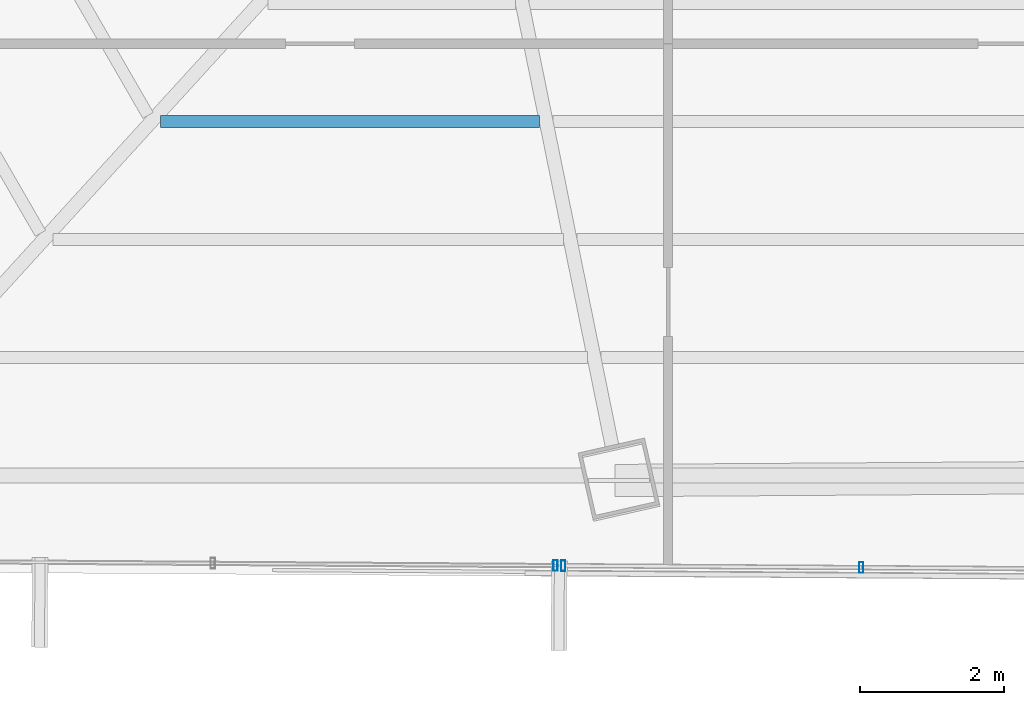
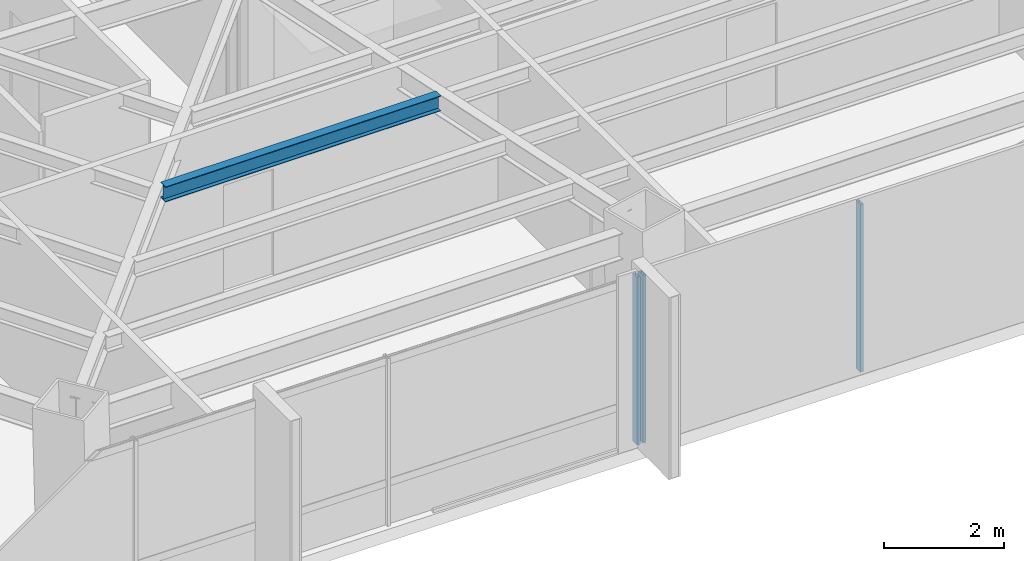
# One storey, part 8 of 41: 3 members, 1 beam, 2 elements without a shape of their own.
"""IFC4 building model written with IfcOpenShell, lengths in metres."""

from ifc_helpers import new_model, si_unit, direction, frame, origin, origin_2d, place, context, subcontext, project, spatial, hollow_rectangle, i_section, extrude, source, transform, mapped, material, material_profile, profile_set, type_object, type_shapes, element, aggregate, save


model = new_model("IFC4")

# Units and contexts
model_context = context("Model", 3, precision=1e-05, world=origin(), true_north=direction((0.0, 1.0)))
body_context = subcontext(model_context, "Body", "Model", "MODEL_VIEW")
ifc_project = project(units=[si_unit("LENGTHUNIT", "METRE"), si_unit("AREAUNIT", "SQUARE_METRE"), si_unit("VOLUMEUNIT", "CUBIC_METRE"), si_unit("PLANEANGLEUNIT", "RADIAN"), si_unit("MASSUNIT", "GRAM", prefix="KILO")], contexts=[model_context])

# Site, building, storey
site_placement = place(None, origin())
site = spatial("IfcSite", under=ifc_project, at=site_placement, CompositionType="ELEMENT")
building_placement = place(site_placement, origin())
building = spatial("IfcBuilding", under=site, at=building_placement, Name="Caelisora Broadcast Tower", CompositionType="ELEMENT")
storey_placement = place(building_placement, frame((0.0, 0.0, 162.14990234375)))
storey = spatial("IfcBuildingStorey", under=building, at=storey_placement, Name="L42", CompositionType="ELEMENT", Elevation=162.14990234375)

# Beam
ifc_material_1 = material(Name="Steel Grade 350 (AS/NZS 3679.1)", Category="steel")
ifc_material_profile_1 = material_profile(ifc_material_1, i_section(OverallWidth=0.166015625, OverallDepth=0.30712890625, WebThickness=0.006591796875, FlangeThickness=0.01171875, at=origin_2d()), Name="Steel Grade 350 (AS/NZS 3679.1)")
ifc_profile_set_1 = profile_set([ifc_material_profile_1], Name="Steel Grade 350 (AS/NZS 3679.1)")
beam_type = type_object("IfcBeamType", Name="SB03", PredefinedType="JOIST", material=ifc_profile_set_1)
shared_shape_1 = source(origin(), body_context, "Body", "SweptSolid", [
    extrude(i_section(OverallWidth=0.166015625, OverallDepth=0.30712890625, WebThickness=0.006591796875, FlangeThickness=0.01171875, at=origin_2d()), origin(), (0.0, 0.0, 1.0), 5.277099609375),
])
type_shapes(beam_type, [shared_shape_1])
beam_placement = place(storey_placement, frame((26.12939453125, 12.46875, 3.24658203125), z_axis=(1.0, 0.0, 0.0), x_axis=(0.0, 1.0, 0.0)))
element("IfcBeam", 1, at=beam_placement, inside=storey, type_object=beam_type, Name="L42 beam SB03", PredefinedType="JOIST", context=body_context, shape_type="MappedRepresentation", body=[
    mapped(shared_shape_1, transform((0.0, 0.0, 0.0), scale=1.0)),
])

# Curtain wall, members
ifc_material_2 = material(Name="Unitised Aluminium Insulated Shadow-Box Spandrel Curtain Wall", Category="aluminium")
curtain_wall_type_1 = type_object("IfcCurtainWallType", Name="CW-SP2", PredefinedType="NOTDEFINED", material=ifc_material_2)
curtain_wall_1_placement = place(storey_placement, origin())
curtain_wall_1 = element("IfcCurtainWall", 2, at=curtain_wall_1_placement, inside=storey, type_object=curtain_wall_type_1, Name="L42 curtain wall CW-SP2", PredefinedType="NOTDEFINED")
ifc_material_3 = material(Name="Aluminium 6063-T6 Anodised Terracotta Bronze", Category="aluminium")
ifc_material_profile_2 = material_profile(ifc_material_3, hollow_rectangle(XDim=0.06005859375, YDim=0.14990234375, WallThickness=0.00341796875, at=origin_2d()), Name="Aluminium 6063-T6 Anodised Terracotta Bronze")
ifc_profile_set_2 = profile_set([ifc_material_profile_2], Name="Aluminium 6063-T6 Anodised Terracotta Bronze")
member_type = type_object("IfcMemberType", Name="CWM-03", PredefinedType="MULLION", material=ifc_profile_set_2)
shared_shape_2 = source(origin(), body_context, "Body", "SweptSolid", [
    extrude(hollow_rectangle(XDim=0.06005859375, YDim=0.14990234375, WallThickness=0.00341796875, at=origin_2d()), origin(), (0.0, 0.0, 1.0), 3.400146484375),
])
type_shapes(member_type, [shared_shape_2])
member_1_placement = place(storey_placement, frame((35.8916015625, 6.252197265625, 0.0), z_axis=(0.0, 0.0, 1.0), x_axis=(1.0, 0.0, 0.0)))
member_1 = element("IfcMember", 3, at=member_1_placement, type_object=member_type, Name="L42-CW-B06 mullion #2", PredefinedType="MULLION", context=body_context, shape_type="MappedRepresentation", body=[
    mapped(shared_shape_2, transform((0.0, 0.0, 0.0), scale=1.0)),
])
member_2_placement = place(storey_placement, frame((31.74072265625, 6.279296875, 0.0), z_axis=(0.0, 0.0, 1.0), x_axis=(1.0, 0.0, 0.0)))
member_2 = element("IfcMember", 4, at=member_2_placement, type_object=member_type, Name="L42-CW-B06 mullion #3", PredefinedType="MULLION", context=body_context, shape_type="MappedRepresentation", body=[
    mapped(shared_shape_2, transform((0.0, 0.0, 0.0), scale=1.0)),
])
aggregate(curtain_wall_1, [member_1, member_2])

# Curtain wall, member
ifc_material_4 = material(Name="Unitised Aluminium and Low-E Glass Curtain Wall", Category="glass")
curtain_wall_type_2 = type_object("IfcCurtainWallType", Name="CW-Z3", PredefinedType="NOTDEFINED", material=ifc_material_4)
curtain_wall_2_placement = place(storey_placement, origin())
curtain_wall_2 = element("IfcCurtainWall", 5, at=curtain_wall_2_placement, inside=storey, type_object=curtain_wall_type_2, Name="L42 curtain wall CW-Z3", PredefinedType="NOTDEFINED")
member_3_placement = place(storey_placement, frame((31.630615234375, 6.27978515625, 0.0), z_axis=(0.0, 0.0, 1.0), x_axis=(1.0, 0.0, 0.0)))
member_3 = element("IfcMember", 6, at=member_3_placement, type_object=member_type, Name="L42-CW-B07 mullion #0", PredefinedType="MULLION", context=body_context, shape_type="MappedRepresentation", body=[
    mapped(shared_shape_2, transform((0.0, 0.0, 0.0), scale=1.0)),
])
aggregate(curtain_wall_2, [member_3])

save(model, "model.ifc")
